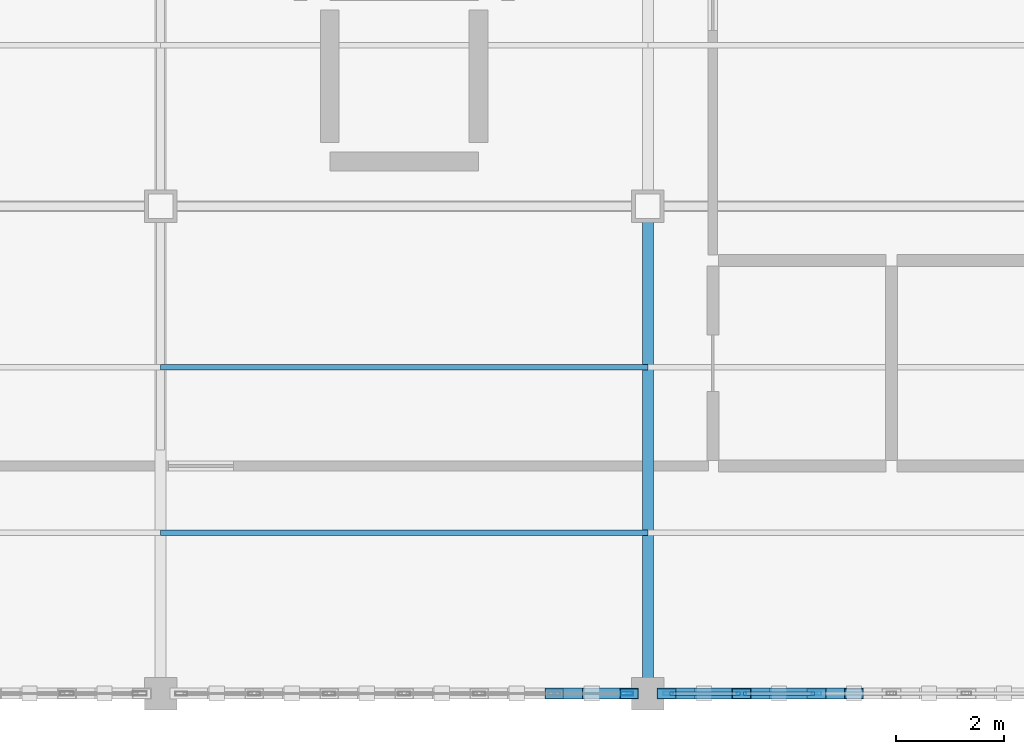
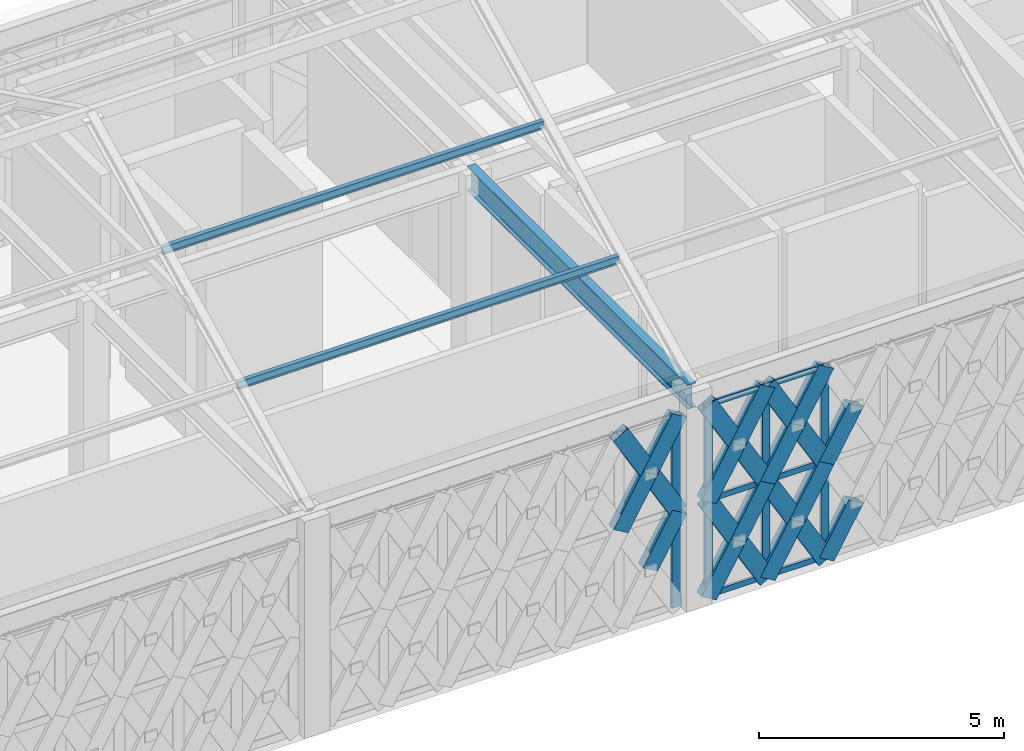
# One storey, part 8 of 32: 30 members, 1 beam, 2 elements without a shape of their own.
"""IFC4 building model written with IfcOpenShell, lengths in metres."""

from ifc_helpers import new_model, si_unit, direction, frame, origin, origin_2d, place, context, subcontext, project, spatial, hollow_rectangle, i_section, extrude, material, material_profile, profile_set, type_object, element, aggregate, save


model = new_model("IFC4")

# Units and contexts
model_context = context("Model", 3, precision=1e-05, world=origin(), true_north=direction((0.0, 1.0)))
body_context = subcontext(model_context, "Body", "Model", "MODEL_VIEW")
ifc_project = project(units=[si_unit("LENGTHUNIT", "METRE"), si_unit("AREAUNIT", "SQUARE_METRE"), si_unit("VOLUMEUNIT", "CUBIC_METRE"), si_unit("PLANEANGLEUNIT", "RADIAN"), si_unit("MASSUNIT", "GRAM", prefix="KILO")], contexts=[model_context])

# Site, building, storey
site_placement = place(None, origin())
site = spatial("IfcSite", under=ifc_project, at=site_placement, CompositionType="ELEMENT")
building_placement = place(site_placement, origin())
building = spatial("IfcBuilding", under=site, at=building_placement, Name="Haizhuo Lancet Aquarium", CompositionType="ELEMENT")
storey_placement = place(building_placement, frame((0.0, 0.0, 27.0)))
storey = spatial("IfcBuildingStorey", under=building, at=storey_placement, Name="L05", CompositionType="ELEMENT", Elevation=27.0)

# Beam
ifc_material_1 = material(Name="Steel S355", Category="steel")
ifc_material_profile_1 = material_profile(ifc_material_1, i_section(OverallWidth=0.199951171875, OverallDepth=0.60009765625, WebThickness=0.010986328125, FlangeThickness=0.01708984375, FilletRadius=0.02197265625, at=origin_2d()), Name="HN 600x200x11x17")
ifc_profile_set_1 = profile_set([ifc_material_profile_1], Name="Steel S355")
beam_type = type_object("IfcBeamType", Name="BM-ST-HN600", PredefinedType="BEAM", material=ifc_profile_set_1)
beam_placement = place(storey_placement, frame((-54.0, -27.0, 5.10009765625), z_axis=(0.0, 1.0, 0.0), x_axis=(-1.0, 0.0, 0.0)))
element("IfcBeam", 1, at=beam_placement, inside=storey, type_object=beam_type, Name="L05 V6 primary girder BM-L05-V6-014", PredefinedType="BEAM", context=body_context, shape_type="SweptSolid", body=[
    extrude(i_section(OverallWidth=0.199951171875, OverallDepth=0.60009765625, WebThickness=0.010986328125, FlangeThickness=0.01708984375, FilletRadius=0.02197265625, at=origin_2d()), origin(), (0.0, 0.0, 1.0), 9.0),
])

# Curtain wall, members
ifc_material_2 = material(Name="Aluminium 6063-T6", Category="aluminium")
curtain_wall_type = type_object("IfcCurtainWallType", Name="CWD-8310x4800", PredefinedType="NOTDEFINED", material=ifc_material_2)
curtain_wall_1_placement = place(storey_placement, origin())
curtain_wall_1 = element("IfcCurtainWall", 2, at=curtain_wall_1_placement, inside=storey, type_object=curtain_wall_type, Name="L05 curtain wall CW-V6-L05-268", PredefinedType="NOTDEFINED")
ifc_material_profile_2 = material_profile(ifc_material_2, hollow_rectangle(XDim=0.06494140625, YDim=0.179931640625, WallThickness=0.00390625, at=origin_2d()), Name="ALU-M 65x180x4")
ifc_profile_set_2 = profile_set([ifc_material_profile_2], Name="Aluminium 6063-T6")
member_type_1 = type_object("IfcMemberType", Name="CW-MUL-1", PredefinedType="MULLION", material=ifc_profile_set_2)
member_1_placement = place(storey_placement, frame((-50.885009765625, -27.0, 0.0), z_axis=(0.0, 0.0, 1.0), x_axis=(0.0, -1.0, 0.0)))
member_1 = element("IfcMember", 3, at=member_1_placement, type_object=member_type_1, Name="CWD-83x48 mullion 5", PredefinedType="MULLION", context=body_context, shape_type="SweptSolid", body=[
    extrude(hollow_rectangle(XDim=0.06494140625, YDim=0.179931640625, WallThickness=0.00390625, at=origin_2d()), origin(), (0.0, 0.0, 1.0), 4.800048828125),
])
member_2_placement = place(storey_placement, frame((-52.27001953125, -27.0, 0.0), z_axis=(0.0, 0.0, 1.0), x_axis=(0.0, -1.0, 0.0)))
member_2 = element("IfcMember", 4, at=member_2_placement, type_object=member_type_1, Name="CWD-83x48 mullion 6", PredefinedType="MULLION", context=body_context, shape_type="SweptSolid", body=[
    extrude(hollow_rectangle(XDim=0.06494140625, YDim=0.179931640625, WallThickness=0.00390625, at=origin_2d()), origin(), (0.0, 0.0, 1.0), 4.800048828125),
])
member_3_placement = place(storey_placement, frame((-53.623046875, -27.0, 0.0), z_axis=(0.0, 0.0, 1.0), x_axis=(0.0, -1.0, 0.0)))
member_3 = element("IfcMember", 5, at=member_3_placement, type_object=member_type_1, Name="CWD-83x48 mullion 7", PredefinedType="MULLION", context=body_context, shape_type="SweptSolid", body=[
    extrude(hollow_rectangle(XDim=0.06494140625, YDim=0.179931640625, WallThickness=0.00390625, at=origin_2d()), origin(), (0.0, 0.0, 1.0), 4.800048828125),
])

# Curtain wall, member
curtain_wall_2_placement = place(storey_placement, origin())
curtain_wall_2 = element("IfcCurtainWall", 6, at=curtain_wall_2_placement, inside=storey, type_object=curtain_wall_type, Name="L05 curtain wall CW-V6-L05-269", PredefinedType="NOTDEFINED")
ifc_material_profile_3 = material_profile(ifc_material_2, hollow_rectangle(XDim=0.074951171875, YDim=0.219970703125, WallThickness=0.0048828125, at=origin_2d()), Name="ALU-M 75x220x5")
ifc_profile_set_3 = profile_set([ifc_material_profile_3], Name="Aluminium 6063-T6")
member_type_2 = type_object("IfcMemberType", Name="CW-MUL-2", PredefinedType="MULLION", material=ifc_profile_set_3)
member_4_placement = place(storey_placement, frame((-54.383056640625, -27.0, 0.0), z_axis=(0.0, 0.0, 1.0), x_axis=(0.0, -1.0, 0.0)))
member_4 = element("IfcMember", 7, at=member_4_placement, type_object=member_type_2, Name="CWD-83x48 mullion 1", PredefinedType="MULLION", context=body_context, shape_type="SweptSolid", body=[
    extrude(hollow_rectangle(XDim=0.074951171875, YDim=0.219970703125, WallThickness=0.0048828125, at=origin_2d()), origin(), (0.0, 0.0, 1.0), 4.800048828125),
])
aggregate(curtain_wall_2, [member_4])

# Member
ifc_material_profile_4 = material_profile(ifc_material_2, hollow_rectangle(XDim=0.06494140625, YDim=0.139892578125, WallThickness=0.00390625, at=origin_2d()), Name="ALU-T 65x140x4")
ifc_profile_set_4 = profile_set([ifc_material_profile_4], Name="Aluminium 6063-T6")
member_type_3 = type_object("IfcMemberType", Name="CW-TRN-1", PredefinedType="NOTDEFINED", material=ifc_profile_set_4)
member_5_placement = place(storey_placement, frame((-50.91796875, -27.0, 0.031982421875), z_axis=(-1.0, 0.0, 0.0), x_axis=(0.0, -1.0, 0.0)))
member_5 = element("IfcMember", 8, at=member_5_placement, type_object=member_type_3, Name="CWD-83x48 transom 5.1", ObjectType="TRANSOM", PredefinedType="USERDEFINED", context=body_context, shape_type="SweptSolid", body=[
    extrude(hollow_rectangle(XDim=0.06494140625, YDim=0.139892578125, WallThickness=0.00390625, at=origin_2d()), origin(), (0.0, 0.0, 1.0), 1.320068359375),
])

member_6_placement = place(storey_placement, frame((-50.91796875, -27.0, 2.39990234375), z_axis=(-1.0, 0.0, 0.0), x_axis=(0.0, -1.0, 0.0)))
member_6 = element("IfcMember", 9, at=member_6_placement, type_object=member_type_3, Name="CWD-83x48 transom 5.2", ObjectType="TRANSOM", PredefinedType="USERDEFINED", context=body_context, shape_type="SweptSolid", body=[
    extrude(hollow_rectangle(XDim=0.06494140625, YDim=0.139892578125, WallThickness=0.00390625, at=origin_2d()), origin(), (0.0, 0.0, 1.0), 1.320068359375),
])

member_7_placement = place(storey_placement, frame((-50.91796875, -27.0, 4.76806640625), z_axis=(-1.0, 0.0, 0.0), x_axis=(0.0, -1.0, 0.0)))
member_7 = element("IfcMember", 10, at=member_7_placement, type_object=member_type_3, Name="CWD-83x48 transom 5.3", ObjectType="TRANSOM", PredefinedType="USERDEFINED", context=body_context, shape_type="SweptSolid", body=[
    extrude(hollow_rectangle(XDim=0.06494140625, YDim=0.139892578125, WallThickness=0.00390625, at=origin_2d()), origin(), (0.0, 0.0, 1.0), 1.320068359375),
])

member_8_placement = place(storey_placement, frame((-52.302978515625, -27.0, 0.031982421875), z_axis=(-1.0, 0.0, 0.0), x_axis=(0.0, -1.0, 0.0)))
member_8 = element("IfcMember", 11, at=member_8_placement, type_object=member_type_3, Name="CWD-83x48 transom 6.1", ObjectType="TRANSOM", PredefinedType="USERDEFINED", context=body_context, shape_type="SweptSolid", body=[
    extrude(hollow_rectangle(XDim=0.06494140625, YDim=0.139892578125, WallThickness=0.00390625, at=origin_2d()), origin(), (0.0, 0.0, 1.0), 1.287109375),
])

member_9_placement = place(storey_placement, frame((-52.302978515625, -27.0, 2.39990234375), z_axis=(-1.0, 0.0, 0.0), x_axis=(0.0, -1.0, 0.0)))
member_9 = element("IfcMember", 12, at=member_9_placement, type_object=member_type_3, Name="CWD-83x48 transom 6.2", ObjectType="TRANSOM", PredefinedType="USERDEFINED", context=body_context, shape_type="SweptSolid", body=[
    extrude(hollow_rectangle(XDim=0.06494140625, YDim=0.139892578125, WallThickness=0.00390625, at=origin_2d()), origin(), (0.0, 0.0, 1.0), 1.287109375),
])

member_10_placement = place(storey_placement, frame((-52.302978515625, -27.0, 4.76806640625), z_axis=(-1.0, 0.0, 0.0), x_axis=(0.0, -1.0, 0.0)))
member_10 = element("IfcMember", 13, at=member_10_placement, type_object=member_type_3, Name="CWD-83x48 transom 6.3", ObjectType="TRANSOM", PredefinedType="USERDEFINED", context=body_context, shape_type="SweptSolid", body=[
    extrude(hollow_rectangle(XDim=0.06494140625, YDim=0.139892578125, WallThickness=0.00390625, at=origin_2d()), origin(), (0.0, 0.0, 1.0), 1.287109375),
])

aggregate(curtain_wall_1, [member_1, member_2, member_3, member_5, member_6, member_7, member_8, member_9, member_10])

# Members
ifc_material_profile_5 = material_profile(ifc_material_1, hollow_rectangle(XDim=0.199951171875, YDim=0.39990234375, WallThickness=0.011962890625, at=origin_2d()), Name="RHS 200x400x12")
ifc_profile_set_5 = profile_set([ifc_material_profile_5], Name="Steel S355")
member_type_4 = type_object("IfcMemberType", Name="MEM-LB-RHS200x400", PredefinedType="BRACE", material=ifc_profile_set_5)
member_11_placement = place(storey_placement, frame((-50.885009765625, -27.0, 0.0), z_axis=(0.500174860769, 0.0, 0.865924424332), x_axis=(0.0, 1.0, 0.0)))
element("IfcMember", 14, at=member_11_placement, inside=storey, type_object=member_type_4, Name="Gothic lancet split diagonal brace CW-V6-L05-268 7B1", PredefinedType="BRACE", context=body_context, shape_type="SweptSolid", body=[
    extrude(hollow_rectangle(XDim=0.199951171875, YDim=0.39990234375, WallThickness=0.011962890625, at=origin_2d()), origin(), (0.0, 0.0, 1.0), 1.3857421875),
])
member_12_placement = place(storey_placement, frame((-50.885009765625, -27.0, 2.39990234375), z_axis=(0.500098564532, 0.0, 0.865968490046), x_axis=(0.0, 1.0, 0.0)))
element("IfcMember", 15, at=member_12_placement, inside=storey, type_object=member_type_4, Name="Gothic lancet split diagonal brace CW-V6-L05-268 8B1", PredefinedType="BRACE", context=body_context, shape_type="SweptSolid", body=[
    extrude(hollow_rectangle(XDim=0.199951171875, YDim=0.39990234375, WallThickness=0.011962890625, at=origin_2d()), origin(), (0.0, 0.0, 1.0), 1.385986328125),
])
member_13_placement = place(storey_placement, frame((-50.885009765625, -27.0, 0.0), z_axis=(-0.499844491261, 0.0, 0.866115168182), x_axis=(0.0, -1.0, 0.0)))
element("IfcMember", 16, at=member_13_placement, inside=storey, type_object=member_type_4, Name="Gothic lancet continuous diagonal brace CW-V6-L05-268 9A", PredefinedType="BRACE", context=body_context, shape_type="SweptSolid", body=[
    extrude(hollow_rectangle(XDim=0.199951171875, YDim=0.39990234375, WallThickness=0.011962890625, at=origin_2d()), origin(), (0.0, 0.0, 1.0), 2.77099609375),
])
member_14_placement = place(storey_placement, frame((-52.27001953125, -27.0, 0.0), z_axis=(0.499646164767, 0.0, 0.866229594296), x_axis=(0.0, 1.0, 0.0)))
element("IfcMember", 17, at=member_14_placement, inside=storey, type_object=member_type_4, Name="Gothic lancet split diagonal brace CW-V6-L05-268 9B1", PredefinedType="BRACE", context=body_context, shape_type="SweptSolid", body=[
    extrude(hollow_rectangle(XDim=0.199951171875, YDim=0.39990234375, WallThickness=0.011962890625, at=origin_2d()), origin(), (0.0, 0.0, 1.0), 1.38525390625),
])
member_15_placement = place(storey_placement, frame((-51.577880859375, -27.0, 1.199951171875), z_axis=(0.500042739161, 0.0, 0.866000726912), x_axis=(0.0, 1.0, 0.0)))
element("IfcMember", 18, at=member_15_placement, inside=storey, type_object=member_type_4, Name="Gothic lancet split diagonal brace CW-V6-L05-268 9B2", PredefinedType="BRACE", context=body_context, shape_type="SweptSolid", body=[
    extrude(hollow_rectangle(XDim=0.199951171875, YDim=0.39990234375, WallThickness=0.011962890625, at=origin_2d()), origin(), (0.0, 0.0, 1.0), 1.3857421875),
])
member_16_placement = place(storey_placement, frame((-50.885009765625, -27.0, 2.39990234375), z_axis=(-0.499806349121, 0.0, 0.866137179307), x_axis=(0.0, -1.0, 0.0)))
element("IfcMember", 19, at=member_16_placement, inside=storey, type_object=member_type_4, Name="Gothic lancet continuous diagonal brace CW-V6-L05-268 10A", PredefinedType="BRACE", context=body_context, shape_type="SweptSolid", body=[
    extrude(hollow_rectangle(XDim=0.199951171875, YDim=0.39990234375, WallThickness=0.011962890625, at=origin_2d()), origin(), (0.0, 0.0, 1.0), 2.77099609375),
])
member_17_placement = place(storey_placement, frame((-52.27001953125, -27.0, 2.39990234375), z_axis=(0.49956989546, 0.0, 0.866273582392), x_axis=(0.0, 1.0, 0.0)))
element("IfcMember", 20, at=member_17_placement, inside=storey, type_object=member_type_4, Name="Gothic lancet split diagonal brace CW-V6-L05-268 10B1", PredefinedType="BRACE", context=body_context, shape_type="SweptSolid", body=[
    extrude(hollow_rectangle(XDim=0.199951171875, YDim=0.39990234375, WallThickness=0.011962890625, at=origin_2d()), origin(), (0.0, 0.0, 1.0), 1.385498046875),
])
member_18_placement = place(storey_placement, frame((-51.577880859375, -27.0, 3.60009765625), z_axis=(0.500042739161, 0.0, 0.866000726912), x_axis=(0.0, 1.0, 0.0)))
element("IfcMember", 21, at=member_18_placement, inside=storey, type_object=member_type_4, Name="Gothic lancet split diagonal brace CW-V6-L05-268 10B2", PredefinedType="BRACE", context=body_context, shape_type="SweptSolid", body=[
    extrude(hollow_rectangle(XDim=0.199951171875, YDim=0.39990234375, WallThickness=0.011962890625, at=origin_2d()), origin(), (0.0, 0.0, 1.0), 1.3857421875),
])
member_19_placement = place(storey_placement, frame((-52.27001953125, -27.0, 0.0), z_axis=(-0.499844491261, 0.0, 0.866115168182), x_axis=(0.0, -1.0, 0.0)))
element("IfcMember", 22, at=member_19_placement, inside=storey, type_object=member_type_4, Name="Gothic lancet continuous diagonal brace CW-V6-L05-268 11A", PredefinedType="BRACE", context=body_context, shape_type="SweptSolid", body=[
    extrude(hollow_rectangle(XDim=0.199951171875, YDim=0.39990234375, WallThickness=0.011962890625, at=origin_2d()), origin(), (0.0, 0.0, 1.0), 2.77099609375),
])
member_20_placement = place(storey_placement, frame((-53.655029296875, -27.0, 0.0), z_axis=(0.499646164767, 0.0, 0.866229594296), x_axis=(0.0, 1.0, 0.0)))
element("IfcMember", 23, at=member_20_placement, inside=storey, type_object=member_type_4, Name="Gothic lancet split diagonal brace CW-V6-L05-268 11B1", PredefinedType="BRACE", context=body_context, shape_type="SweptSolid", body=[
    extrude(hollow_rectangle(XDim=0.199951171875, YDim=0.39990234375, WallThickness=0.011962890625, at=origin_2d()), origin(), (0.0, 0.0, 1.0), 1.38525390625),
])
member_21_placement = place(storey_placement, frame((-52.962890625, -27.0, 1.199951171875), z_axis=(0.500042739161, 0.0, 0.866000726912), x_axis=(0.0, 1.0, 0.0)))
element("IfcMember", 24, at=member_21_placement, inside=storey, type_object=member_type_4, Name="Gothic lancet split diagonal brace CW-V6-L05-268 11B2", PredefinedType="BRACE", context=body_context, shape_type="SweptSolid", body=[
    extrude(hollow_rectangle(XDim=0.199951171875, YDim=0.39990234375, WallThickness=0.011962890625, at=origin_2d()), origin(), (0.0, 0.0, 1.0), 1.3857421875),
])
member_22_placement = place(storey_placement, frame((-52.27001953125, -27.0, 2.39990234375), z_axis=(-0.499806349121, 0.0, 0.866137179307), x_axis=(0.0, -1.0, 0.0)))
element("IfcMember", 25, at=member_22_placement, inside=storey, type_object=member_type_4, Name="Gothic lancet continuous diagonal brace CW-V6-L05-268 12A", PredefinedType="BRACE", context=body_context, shape_type="SweptSolid", body=[
    extrude(hollow_rectangle(XDim=0.199951171875, YDim=0.39990234375, WallThickness=0.011962890625, at=origin_2d()), origin(), (0.0, 0.0, 1.0), 2.77099609375),
])
member_23_placement = place(storey_placement, frame((-53.655029296875, -27.0, 2.39990234375), z_axis=(0.49956989546, 0.0, 0.866273582392), x_axis=(0.0, 1.0, 0.0)))
element("IfcMember", 26, at=member_23_placement, inside=storey, type_object=member_type_4, Name="Gothic lancet split diagonal brace CW-V6-L05-268 12B1", PredefinedType="BRACE", context=body_context, shape_type="SweptSolid", body=[
    extrude(hollow_rectangle(XDim=0.199951171875, YDim=0.39990234375, WallThickness=0.011962890625, at=origin_2d()), origin(), (0.0, 0.0, 1.0), 1.385498046875),
])
member_24_placement = place(storey_placement, frame((-52.962890625, -27.0, 3.60009765625), z_axis=(0.500042739161, 0.0, 0.866000726912), x_axis=(0.0, 1.0, 0.0)))
element("IfcMember", 27, at=member_24_placement, inside=storey, type_object=member_type_4, Name="Gothic lancet split diagonal brace CW-V6-L05-268 12B2", PredefinedType="BRACE", context=body_context, shape_type="SweptSolid", body=[
    extrude(hollow_rectangle(XDim=0.199951171875, YDim=0.39990234375, WallThickness=0.011962890625, at=origin_2d()), origin(), (0.0, 0.0, 1.0), 1.3857421875),
])
member_25_placement = place(storey_placement, frame((-55.037109375, -27.0, 1.199951171875), z_axis=(0.499646164767, 0.0, 0.866229594296), x_axis=(0.0, 1.0, 0.0)))
element("IfcMember", 28, at=member_25_placement, inside=storey, type_object=member_type_4, Name="Gothic lancet split diagonal brace CW-V6-L05-269 1B2", PredefinedType="BRACE", context=body_context, shape_type="SweptSolid", body=[
    extrude(hollow_rectangle(XDim=0.199951171875, YDim=0.39990234375, WallThickness=0.011962890625, at=origin_2d()), origin(), (0.0, 0.0, 1.0), 1.38525390625),
])
member_26_placement = place(storey_placement, frame((-54.344970703125, -27.0, 2.39990234375), z_axis=(-0.499806349121, 0.0, 0.866137179307), x_axis=(0.0, -1.0, 0.0)))
element("IfcMember", 29, at=member_26_placement, inside=storey, type_object=member_type_4, Name="Gothic lancet continuous diagonal brace CW-V6-L05-269 2A", PredefinedType="BRACE", context=body_context, shape_type="SweptSolid", body=[
    extrude(hollow_rectangle(XDim=0.199951171875, YDim=0.39990234375, WallThickness=0.011962890625, at=origin_2d()), origin(), (0.0, 0.0, 1.0), 2.77099609375),
])
member_27_placement = place(storey_placement, frame((-55.72998046875, -27.0, 2.39990234375), z_axis=(0.499966449638, 0.0, 0.866044773228), x_axis=(0.0, 1.0, 0.0)))
element("IfcMember", 30, at=member_27_placement, inside=storey, type_object=member_type_4, Name="Gothic lancet split diagonal brace CW-V6-L05-269 2B1", PredefinedType="BRACE", context=body_context, shape_type="SweptSolid", body=[
    extrude(hollow_rectangle(XDim=0.199951171875, YDim=0.39990234375, WallThickness=0.011962890625, at=origin_2d()), origin(), (0.0, 0.0, 1.0), 1.3857421875),
])
member_28_placement = place(storey_placement, frame((-55.037109375, -27.0, 3.60009765625), z_axis=(0.499646164767, 0.0, 0.866229594296), x_axis=(0.0, 1.0, 0.0)))
element("IfcMember", 31, at=member_28_placement, inside=storey, type_object=member_type_4, Name="Gothic lancet split diagonal brace CW-V6-L05-269 2B2", PredefinedType="BRACE", context=body_context, shape_type="SweptSolid", body=[
    extrude(hollow_rectangle(XDim=0.199951171875, YDim=0.39990234375, WallThickness=0.011962890625, at=origin_2d()), origin(), (0.0, 0.0, 1.0), 1.38525390625),
])
ifc_material_profile_6 = material_profile(ifc_material_1, i_section(OverallWidth=0.10009765625, OverallDepth=0.199951171875, WebThickness=0.005615234375, FlangeThickness=0.008056640625, FilletRadius=0.008056640625, at=origin_2d()), Name="HN 200x100x5.5x8")
ifc_profile_set_6 = profile_set([ifc_material_profile_6], Name="Steel S355")
member_type_5 = type_object("IfcMemberType", Name="MEM-PR-HN200", PredefinedType="PURLIN", material=ifc_profile_set_6)
for number, where, z_axis, x_axis, name in (
    (32, (-63.0, -24.030029296875, 6.72412109375), (1.0, 0.0, 0.0), (0.0, 1.0, 0.0), "V6 south roof purlin 2"),
    (33, (-63.0, -20.969970703125, 8.23095703125), (1.0, 0.0, 0.0), (0.0, 1.0, 0.0), "V6 south roof purlin 2"),
):
    element("IfcMember", number, at=place(storey_placement, frame(where, z_axis=z_axis, x_axis=x_axis)), inside=storey, type_object=member_type_5, Name=name, PredefinedType="PURLIN", context=body_context, shape_type="SweptSolid", body=[
        extrude(i_section(OverallWidth=0.10009765625, OverallDepth=0.199951171875, WebThickness=0.005615234375, FlangeThickness=0.008056640625, FilletRadius=0.008056640625, at=origin_2d()), origin(), (0.0, 0.0, 1.0), 9.0),
    ])

save(model, "model.ifc")
